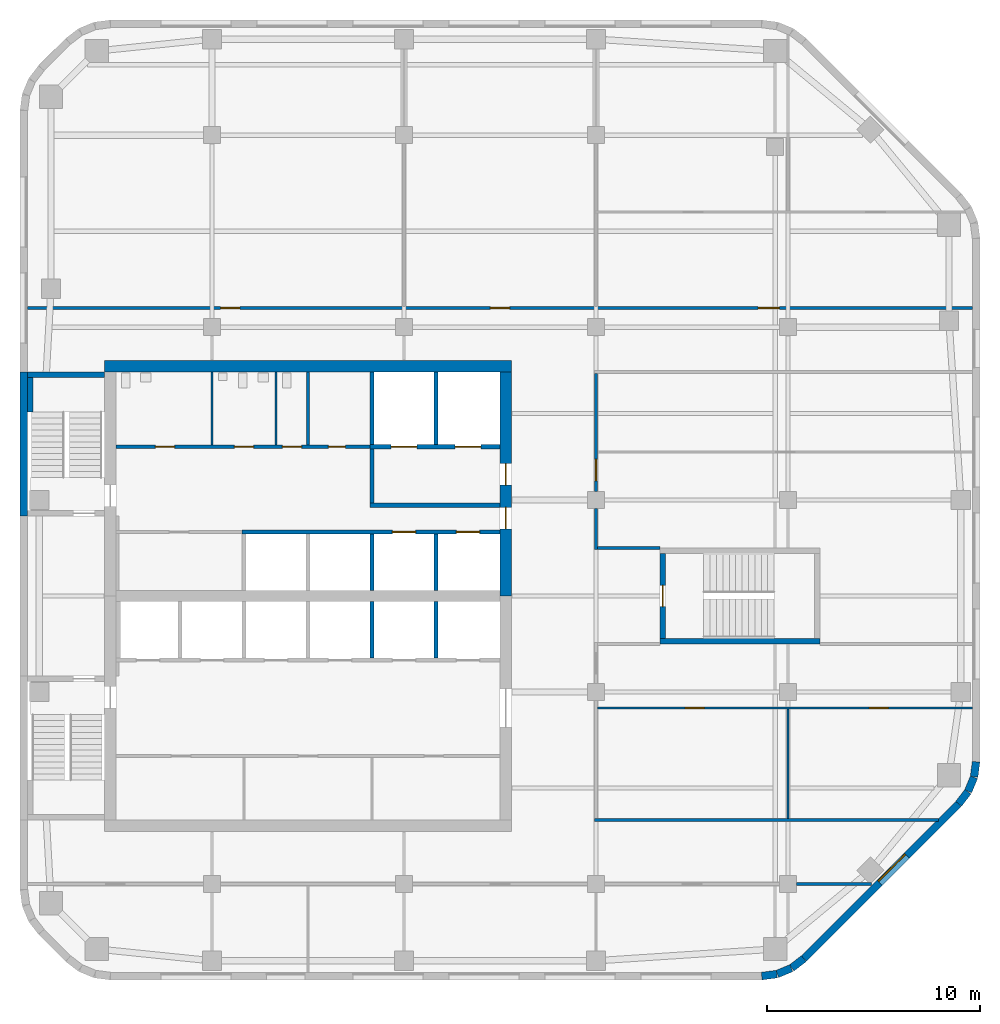
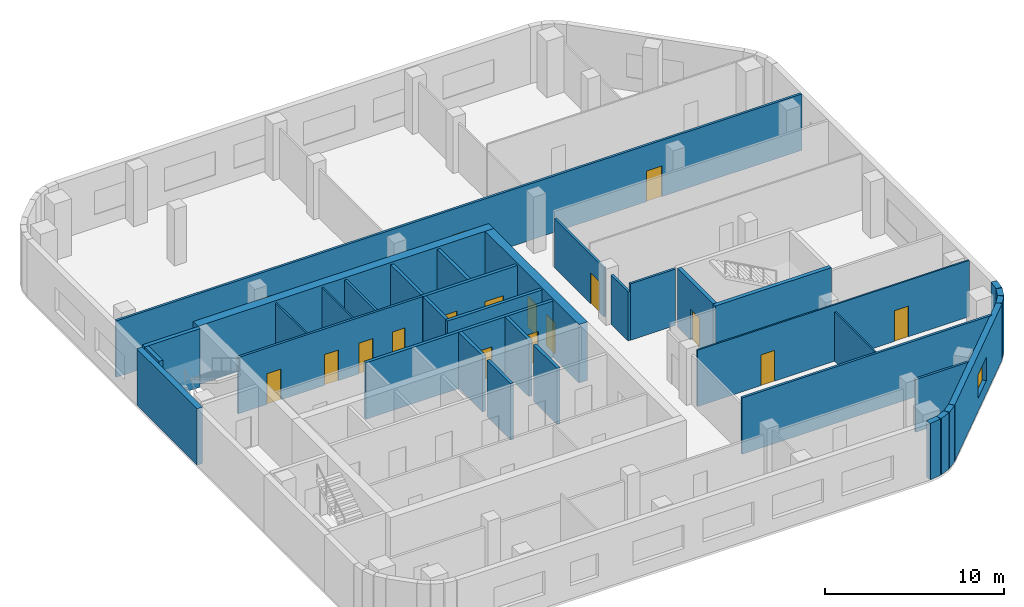
# One storey, part 4 of 8: 36 walls, 17 doors, 1 window, 18 openings.
"""IFC4 building model written with IfcOpenShell, lengths in metres."""

from ifc_helpers import new_model, si_unit, direction, frame, frame_2d, origin, place, context, subcontext, project, spatial, rectangle, extrude, material, layer, layer_set, type_object, element, fill, save


model = new_model("IFC4")

# Units and contexts
model_context = context("Model", 3, precision=1e-05, world=origin(), true_north=direction((0.0, 1.0)))
body_context = subcontext(model_context, "Body", "Model", "MODEL_VIEW")
ifc_project = project(units=[si_unit("LENGTHUNIT", "METRE"), si_unit("AREAUNIT", "SQUARE_METRE"), si_unit("VOLUMEUNIT", "CUBIC_METRE"), si_unit("PLANEANGLEUNIT", "RADIAN"), si_unit("MASSUNIT", "GRAM", prefix="KILO")], contexts=[model_context])

# Site, building, storey
site_placement = place(None, origin())
site = spatial("IfcSite", under=ifc_project, at=site_placement, CompositionType="ELEMENT")
building_placement = place(site_placement, origin())
building = spatial("IfcBuilding", under=site, at=building_placement, Name="Cinnabar Reach Civic Tower", CompositionType="ELEMENT")
storey_placement = place(building_placement, frame((0.0, 0.0, 222.0)))
storey = spatial("IfcBuildingStorey", under=building, at=storey_placement, Name="L53", CompositionType="ELEMENT", Elevation=222.0)

# Walls
ifc_material_1 = material(Name="Facing brick with insulated backing", Category="masonry")
ifc_layer_1 = layer(ifc_material_1, 0.36)
ifc_layer_set_1 = layer_set([ifc_layer_1], Name="Brick corner wall")
wall_type_1 = type_object("IfcWallType", Name="Brick corner wall", PredefinedType="STANDARD", material=ifc_layer_set_1)
for number, where, z_axis, x_axis, name in (
    (1, (34.7686, 13.683, 0.0), (0.0, 0.0, 1.0), (0.99144092581, 0.13055608231, 0.0), "Brick corner wall"),
    (2, (35.4973, 13.7819, 0.0), (0.0, 0.0, 1.0), (0.923871547278, 0.382702709855, 0.0), "Brick corner wall"),
):
    element("IfcWall", number, at=place(storey_placement, frame(where, z_axis=z_axis, x_axis=x_axis)), inside=storey, type_object=wall_type_1, Name=name, PredefinedType="STANDARD", context=body_context, shape_type="SweptSolid", body=[
        extrude(rectangle(XDim=0.7131, YDim=0.36, at=frame_2d((0.3565, 0.0))), origin(), (0.0, 0.0, 1.0), 3.85),
    ])
for number, where, z_axis, x_axis, name in (
    (3, (36.1755, 14.066, 0.0), (0.0, 0.0, 1.0), (0.793321924995, 0.608802368033, 0.0), "Brick corner wall"),
    (4, (43.9998, 21.7587, 0.0), (0.0, 0.0, 1.0), (0.608802368033, 0.793321924995, 0.0), "Brick corner wall"),
):
    element("IfcWall", number, at=place(storey_placement, frame(where, z_axis=z_axis, x_axis=x_axis)), inside=storey, type_object=wall_type_1, Name=name, PredefinedType="STANDARD", context=body_context, shape_type="SweptSolid", body=[
        extrude(rectangle(XDim=0.7132, YDim=0.36, at=frame_2d((0.3566, 0.0))), origin(), (0.0, 0.0, 1.0), 3.85),
    ])
for number, where, z_axis, x_axis, name in (
    (5, (44.4452, 22.3439, 0.0), (0.0, 0.0, 1.0), (0.382702709855, 0.923871547278, 0.0), "Brick corner wall"),
    (6, (44.7239, 23.0244, 0.0), (0.0, 0.0, 1.0), (0.13055608231, 0.99144092581, 0.0), "Brick corner wall"),
):
    element("IfcWall", number, at=place(storey_placement, frame(where, z_axis=z_axis, x_axis=x_axis)), inside=storey, type_object=wall_type_1, Name=name, PredefinedType="STANDARD", context=body_context, shape_type="SweptSolid", body=[
        extrude(rectangle(XDim=0.7131, YDim=0.36, at=frame_2d((0.3565, 0.0))), origin(), (0.0, 0.0, 1.0), 3.85),
    ])

# Wall, opening, window
ifc_layer_2 = layer(ifc_material_1, 0.36)
ifc_layer_set_2 = layer_set([ifc_layer_2], Name="Brick pier and spandrel wall")
wall_type_2 = type_object("IfcWallType", Name="Brick pier and spandrel wall", PredefinedType="STANDARD", material=ifc_layer_set_2)
wall_1_placement = place(storey_placement, frame((36.7514, 14.506, 0.0), z_axis=(0.0, 0.0, 1.0), x_axis=(0.707106781187, 0.707106781187, 0.0)))
wall_1 = element("IfcWall", 7, at=wall_1_placement, inside=storey, type_object=wall_type_2, Name="Brick facade wall", PredefinedType="STANDARD", context=body_context, shape_type="SweptSolid", body=[
    extrude(rectangle(XDim=10.2426, YDim=0.36, at=frame_2d((5.1213, 0.0))), origin(), (0.0, 0.0, 1.0), 3.85),
])
opening_1_placement = place(wall_1_placement, frame((5.0213, 0.0, 0.9)))
opening_1 = element("IfcOpeningElement", 8, at=opening_1_placement, cuts=wall_1, Name="Opening W2086", PredefinedType="OPENING", context=body_context, shape_type="SweptSolid", body=[
    extrude(rectangle(XDim=1.8, YDim=1.6, at=frame_2d((0.9, 0.8))), frame((0.0, 0.19, 0.0), z_axis=(0.0, -1.0, 0.0), x_axis=(1.0, 0.0, 0.0)), (0.0, 0.0, 1.0), 0.38),
])
ifc_material_2 = material(Name="Clear double glazing in aluminium frame", Category="aluminium")
window_type = type_object("IfcWindowType", Name="Deep-set window D", PartitioningType="SINGLE_PANEL", PredefinedType="WINDOW", material=ifc_material_2)
window_placement = place(opening_1_placement, origin())
window = element("IfcWindow", 9, at=window_placement, inside=storey, type_object=window_type, Name="Window southeast face", OverallHeight=1.6, OverallWidth=1.8, PartitioningType="SINGLE_PANEL", PredefinedType="WINDOW", context=body_context, shape_type="SweptSolid", body=[
    extrude(rectangle(XDim=1.8, YDim=1.6, at=frame_2d((0.9, 0.8))), frame((0.0, 0.13, 0.0), z_axis=(0.0, -1.0, 0.0), x_axis=(1.0, 0.0, 0.0)), (0.0, 0.0, 1.0), 0.06),
])
fill(opening_1, window)

# Walls
wall_2_placement = place(storey_placement, frame((0.18, 42.0, 0.0), z_axis=(0.0, 0.0, 1.0), x_axis=(0.0, -1.0, 0.0)))
element("IfcWall", 10, at=wall_2_placement, inside=storey, type_object=wall_type_2, Name="Brick facade wall", PredefinedType="STANDARD", context=body_context, shape_type="SweptSolid", body=[
    extrude(rectangle(XDim=6.75, YDim=0.36, at=frame_2d((3.375, 0.0))), origin(), (0.0, 0.0, 1.0), 3.85),
])
ifc_material_3 = material(Name="Concrete C60", Category="concrete")
ifc_layer_3 = layer(ifc_material_3, 0.55)
ifc_layer_set_3 = layer_set([ifc_layer_3], Name="Core wall 550 EI 180")
wall_type_3 = type_object("IfcWallType", Name="Core wall 550 EI 180", PredefinedType="SOLIDWALL", material=ifc_layer_set_3)
wall_3_placement = place(storey_placement, frame((23.05, 42.275, 0.0), z_axis=(0.0, 0.0, 1.0), x_axis=(-1.0, 0.0, 0.0)))
element("IfcWall", 11, at=wall_3_placement, inside=storey, type_object=wall_type_3, Name="Core wall T1 L53 N", PredefinedType="SOLIDWALL", context=body_context, shape_type="SweptSolid", body=[
    extrude(rectangle(XDim=19.1, YDim=0.55, at=frame_2d((9.55, 0.0))), origin(), (0.0, 0.0, 1.0), 4.0),
])

# Wall, openings, doors
wall_4_placement = place(storey_placement, frame((22.775, 31.5, 0.0), z_axis=(0.0, 0.0, 1.0), x_axis=(0.0, 1.0, 0.0)))
wall_4 = element("IfcWall", 12, at=wall_4_placement, inside=storey, type_object=wall_type_3, Name="Core wall T1 L53 E2", PredefinedType="SOLIDWALL", context=body_context, shape_type="SweptSolid", body=[
    extrude(rectangle(XDim=10.5, YDim=0.55, at=frame_2d((5.25, 0.0))), origin(), (0.0, 0.0, 1.0), 4.0),
])
opening_2_placement = place(wall_4_placement, frame((3.15, 0.0, 0.0)))
opening_2 = element("IfcOpeningElement", 13, at=opening_2_placement, cuts=wall_4, Name="Opening D5162", PredefinedType="OPENING", context=body_context, shape_type="SweptSolid", body=[
    extrude(rectangle(XDim=1.0, YDim=2.1, at=frame_2d((0.5, 1.05))), frame((0.0, 0.285, 0.0), z_axis=(0.0, -1.0, 0.0), x_axis=(1.0, 0.0, 0.0)), (0.0, 0.0, 1.0), 0.57),
])
opening_3_placement = place(wall_4_placement, frame((5.2, 0.0, 0.0)))
opening_3 = element("IfcOpeningElement", 14, at=opening_3_placement, cuts=wall_4, Name="Opening D5163", PredefinedType="OPENING", context=body_context, shape_type="SweptSolid", body=[
    extrude(rectangle(XDim=1.0, YDim=2.1, at=frame_2d((0.5, 1.05))), frame((0.0, 0.285, 0.0), z_axis=(0.0, -1.0, 0.0), x_axis=(1.0, 0.0, 0.0)), (0.0, 0.0, 1.0), 0.57),
])
ifc_material_4 = material(Name="Timber door leaf in steel frame", Category="steel")
door_type_1 = type_object("IfcDoorType", Name="Firefighting lobby door 1000 x 2100 T1", OperationType="SINGLE_SWING_LEFT", PredefinedType="DOOR", material=ifc_material_4)
door_1_placement = place(opening_3_placement, origin())
door_1 = element("IfcDoor", 15, at=door_1_placement, inside=storey, type_object=door_type_1, Name="Door D5163", OperationType="SINGLE_SWING_RIGHT", OverallHeight=2.1, OverallWidth=1.0, PredefinedType="DOOR", context=body_context, shape_type="SweptSolid", body=[
    extrude(rectangle(XDim=1.0, YDim=2.1, at=frame_2d((0.5, 1.05))), frame((0.0, 0.025, 0.0), z_axis=(0.0, -1.0, 0.0), x_axis=(1.0, 0.0, 0.0)), (0.0, 0.0, 1.0), 0.05),
])
fill(opening_3, door_1)
door_type_2 = type_object("IfcDoorType", Name="Single swing door 1000 x 2100 T1", OperationType="SINGLE_SWING_LEFT", PredefinedType="DOOR", material=ifc_material_4)
door_2_placement = place(opening_2_placement, origin())
door_2 = element("IfcDoor", 16, at=door_2_placement, inside=storey, type_object=door_type_2, Name="Door D5162", OperationType="SINGLE_SWING_RIGHT", OverallHeight=2.1, OverallWidth=1.0, PredefinedType="DOOR", context=body_context, shape_type="SweptSolid", body=[
    extrude(rectangle(XDim=1.0, YDim=2.1, at=frame_2d((0.5, 1.05))), frame((0.0, 0.025, 0.0), z_axis=(0.0, -1.0, 0.0), x_axis=(1.0, 0.0, 0.0)), (0.0, 0.0, 1.0), 0.05),
])
fill(opening_2, door_2)

ifc_material_5 = material(Name="Gypsum board on steel studs, double layer", Category="steel")
ifc_layer_4 = layer(ifc_material_5, 0.15)
ifc_layer_set_4 = layer_set([ifc_layer_4], Name="Corridor wall 150 T1")
wall_type_4 = type_object("IfcWallType", Name="Corridor wall 150 T1", PredefinedType="PARTITIONING", material=ifc_layer_set_4)
wall_5_placement = place(storey_placement, frame((0.36, 45.0, 0.0), z_axis=(0.0, 0.0, 1.0), x_axis=(1.0, 0.0, 0.0)))
wall_5 = element("IfcWall", 17, at=wall_5_placement, inside=storey, type_object=wall_type_4, Name="Corridor wall 18", PredefinedType="PARTITIONING", context=body_context, shape_type="SweptSolid", body=[
    extrude(rectangle(XDim=44.28, YDim=0.15, at=frame_2d((22.14, 0.0))), origin(), (0.0, 0.0, 1.0), 3.85),
])
opening_4_placement = place(wall_5_placement, frame((9.05, 0.0, 0.0)))
opening_4 = element("IfcOpeningElement", 18, at=opening_4_placement, cuts=wall_5, Name="Opening D5181", PredefinedType="OPENING", context=body_context, shape_type="SweptSolid", body=[
    extrude(rectangle(XDim=0.9, YDim=2.1, at=frame_2d((0.45, 1.05))), frame((0.0, 0.085, 0.0), z_axis=(0.0, -1.0, 0.0), x_axis=(1.0, 0.0, 0.0)), (0.0, 0.0, 1.0), 0.17),
])
opening_5_placement = place(wall_5_placement, frame((21.69, 0.0, 0.0)))
opening_5 = element("IfcOpeningElement", 19, at=opening_5_placement, cuts=wall_5, Name="Opening D5182", PredefinedType="OPENING", context=body_context, shape_type="SweptSolid", body=[
    extrude(rectangle(XDim=0.9, YDim=2.1, at=frame_2d((0.45, 1.05))), frame((0.0, 0.085, 0.0), z_axis=(0.0, -1.0, 0.0), x_axis=(1.0, 0.0, 0.0)), (0.0, 0.0, 1.0), 0.17),
])
opening_6_placement = place(wall_5_placement, frame((34.24, 0.0, 0.0)))
opening_6 = element("IfcOpeningElement", 20, at=opening_6_placement, cuts=wall_5, Name="Opening D5183", PredefinedType="OPENING", context=body_context, shape_type="SweptSolid", body=[
    extrude(rectangle(XDim=1.0, YDim=2.1, at=frame_2d((0.5, 1.05))), frame((0.0, 0.085, 0.0), z_axis=(0.0, -1.0, 0.0), x_axis=(1.0, 0.0, 0.0)), (0.0, 0.0, 1.0), 0.17),
])
door_type_3 = type_object("IfcDoorType", Name="Single swing door 900 x 2100 corridor T1", OperationType="SINGLE_SWING_LEFT", PredefinedType="DOOR", material=ifc_material_4)
door_3_placement = place(opening_4_placement, origin())
door_3 = element("IfcDoor", 21, at=door_3_placement, inside=storey, type_object=door_type_3, Name="Door D5181", OperationType="SINGLE_SWING_LEFT", OverallHeight=2.1, OverallWidth=0.9, PredefinedType="DOOR", context=body_context, shape_type="SweptSolid", body=[
    extrude(rectangle(XDim=0.9, YDim=2.1, at=frame_2d((0.45, 1.05))), frame((0.0, 0.025, 0.0), z_axis=(0.0, -1.0, 0.0), x_axis=(1.0, 0.0, 0.0)), (0.0, 0.0, 1.0), 0.05),
])
fill(opening_4, door_3)
door_4_placement = place(opening_5_placement, origin())
door_4 = element("IfcDoor", 22, at=door_4_placement, inside=storey, type_object=door_type_3, Name="Door D5182", OperationType="SINGLE_SWING_LEFT", OverallHeight=2.1, OverallWidth=0.9, PredefinedType="DOOR", context=body_context, shape_type="SweptSolid", body=[
    extrude(rectangle(XDim=0.9, YDim=2.1, at=frame_2d((0.45, 1.05))), frame((0.0, 0.025, 0.0), z_axis=(0.0, -1.0, 0.0), x_axis=(1.0, 0.0, 0.0)), (0.0, 0.0, 1.0), 0.05),
])
fill(opening_5, door_4)
door_type_4 = type_object("IfcDoorType", Name="Tenancy entrance door 1000 x 2100 T1", OperationType="SINGLE_SWING_LEFT", PredefinedType="DOOR", material=ifc_material_4)
door_5_placement = place(opening_6_placement, origin())
door_5 = element("IfcDoor", 23, at=door_5_placement, inside=storey, type_object=door_type_4, Name="Door D5183", OperationType="SINGLE_SWING_LEFT", OverallHeight=2.1, OverallWidth=1.0, PredefinedType="DOOR", context=body_context, shape_type="SweptSolid", body=[
    extrude(rectangle(XDim=1.0, YDim=2.1, at=frame_2d((0.5, 1.05))), frame((0.0, 0.025, 0.0), z_axis=(0.0, -1.0, 0.0), x_axis=(1.0, 0.0, 0.0)), (0.0, 0.0, 1.0), 0.05),
])
fill(opening_6, door_5)

# Walls
wall_6_placement = place(storey_placement, frame((36.4, 18.0, 0.0), z_axis=(0.0, 0.0, 1.0), x_axis=(1.0, 0.0, 0.0)))
element("IfcWall", 24, at=wall_6_placement, inside=storey, type_object=wall_type_4, Name="Corridor wall 19", PredefinedType="PARTITIONING", context=body_context, shape_type="SweptSolid", body=[
    extrude(rectangle(XDim=3.516, YDim=0.15, at=frame_2d((1.758, 0.0))), origin(), (0.0, 0.0, 1.0), 3.602),
])
wall_7_placement = place(storey_placement, frame((26.925, 21.0, 0.0), z_axis=(0.0, 0.0, 1.0), x_axis=(1.0, 0.0, 0.0)))
element("IfcWall", 25, at=wall_7_placement, inside=storey, type_object=wall_type_4, Name="Corridor wall 26", PredefinedType="PARTITIONING", context=body_context, shape_type="SweptSolid", body=[
    extrude(rectangle(XDim=16.1409, YDim=0.15, at=frame_2d((8.0704, 0.0))), origin(), (0.0, 0.0, 1.0), 3.85),
])

# Wall, openings, doors
wall_8_placement = place(storey_placement, frame((4.5, 38.5, 0.0), z_axis=(0.0, 0.0, 1.0), x_axis=(1.0, 0.0, 0.0)))
wall_8 = element("IfcWall", 26, at=wall_8_placement, inside=storey, type_object=wall_type_4, Name="Corridor wall 27", PredefinedType="PARTITIONING", context=body_context, shape_type="SweptSolid", body=[
    extrude(rectangle(XDim=11.9, YDim=0.15, at=frame_2d((5.95, 0.0))), origin(), (0.0, 0.0, 1.0), 3.85),
])
opening_7_placement = place(wall_8_placement, frame((1.85, 0.0, 0.0)))
opening_7 = element("IfcOpeningElement", 27, at=opening_7_placement, cuts=wall_8, Name="Opening D5169", PredefinedType="OPENING", context=body_context, shape_type="SweptSolid", body=[
    extrude(rectangle(XDim=0.9, YDim=2.1, at=frame_2d((0.45, 1.05))), frame((0.0, 0.085, 0.0), z_axis=(0.0, -1.0, 0.0), x_axis=(1.0, 0.0, 0.0)), (0.0, 0.0, 1.0), 0.17),
])
opening_8_placement = place(wall_8_placement, frame((5.55, 0.0, 0.0)))
opening_8 = element("IfcOpeningElement", 28, at=opening_8_placement, cuts=wall_8, Name="Opening D5170", PredefinedType="OPENING", context=body_context, shape_type="SweptSolid", body=[
    extrude(rectangle(XDim=0.9, YDim=2.1, at=frame_2d((0.45, 1.05))), frame((0.0, 0.085, 0.0), z_axis=(0.0, -1.0, 0.0), x_axis=(1.0, 0.0, 0.0)), (0.0, 0.0, 1.0), 0.17),
])
opening_9_placement = place(wall_8_placement, frame((7.8, 0.0, 0.0)))
opening_9 = element("IfcOpeningElement", 29, at=opening_9_placement, cuts=wall_8, Name="Opening D5171", PredefinedType="OPENING", context=body_context, shape_type="SweptSolid", body=[
    extrude(rectangle(XDim=0.9, YDim=2.1, at=frame_2d((0.45, 1.05))), frame((0.0, 0.085, 0.0), z_axis=(0.0, -1.0, 0.0), x_axis=(1.0, 0.0, 0.0)), (0.0, 0.0, 1.0), 0.17),
])
opening_10_placement = place(wall_8_placement, frame((9.95, 0.0, 0.0)))
opening_10 = element("IfcOpeningElement", 30, at=opening_10_placement, cuts=wall_8, Name="Opening D5172", PredefinedType="OPENING", context=body_context, shape_type="SweptSolid", body=[
    extrude(rectangle(XDim=0.8, YDim=2.1, at=frame_2d((0.4, 1.05))), frame((0.0, 0.085, 0.0), z_axis=(0.0, -1.0, 0.0), x_axis=(1.0, 0.0, 0.0)), (0.0, 0.0, 1.0), 0.17),
])
door_type_5 = type_object("IfcDoorType", Name="Riser access door 800 x 2100 T1", OperationType="SINGLE_SWING_LEFT", PredefinedType="DOOR", material=ifc_material_4)
door_6_placement = place(opening_10_placement, origin())
door_6 = element("IfcDoor", 31, at=door_6_placement, inside=storey, type_object=door_type_5, Name="Door D5172", OperationType="SINGLE_SWING_RIGHT", OverallHeight=2.1, OverallWidth=0.8, PredefinedType="DOOR", context=body_context, shape_type="SweptSolid", body=[
    extrude(rectangle(XDim=0.8, YDim=2.1, at=frame_2d((0.4, 1.05))), frame((0.0, 0.025, 0.0), z_axis=(0.0, -1.0, 0.0), x_axis=(1.0, 0.0, 0.0)), (0.0, 0.0, 1.0), 0.05),
])
fill(opening_10, door_6)
door_7_placement = place(opening_7_placement, origin())
door_7 = element("IfcDoor", 32, at=door_7_placement, inside=storey, type_object=door_type_3, Name="Door D5169", OperationType="SINGLE_SWING_RIGHT", OverallHeight=2.1, OverallWidth=0.9, PredefinedType="DOOR", context=body_context, shape_type="SweptSolid", body=[
    extrude(rectangle(XDim=0.9, YDim=2.1, at=frame_2d((0.45, 1.05))), frame((0.0, 0.025, 0.0), z_axis=(0.0, -1.0, 0.0), x_axis=(1.0, 0.0, 0.0)), (0.0, 0.0, 1.0), 0.05),
])
fill(opening_7, door_7)
door_8_placement = place(opening_8_placement, origin())
door_8 = element("IfcDoor", 33, at=door_8_placement, inside=storey, type_object=door_type_3, Name="Door D5170", OperationType="SINGLE_SWING_RIGHT", OverallHeight=2.1, OverallWidth=0.9, PredefinedType="DOOR", context=body_context, shape_type="SweptSolid", body=[
    extrude(rectangle(XDim=0.9, YDim=2.1, at=frame_2d((0.45, 1.05))), frame((0.0, 0.025, 0.0), z_axis=(0.0, -1.0, 0.0), x_axis=(1.0, 0.0, 0.0)), (0.0, 0.0, 1.0), 0.05),
])
fill(opening_8, door_8)
door_9_placement = place(opening_9_placement, origin())
door_9 = element("IfcDoor", 34, at=door_9_placement, inside=storey, type_object=door_type_3, Name="Door D5171", OperationType="SINGLE_SWING_RIGHT", OverallHeight=2.1, OverallWidth=0.9, PredefinedType="DOOR", context=body_context, shape_type="SweptSolid", body=[
    extrude(rectangle(XDim=0.9, YDim=2.1, at=frame_2d((0.45, 1.05))), frame((0.0, 0.025, 0.0), z_axis=(0.0, -1.0, 0.0), x_axis=(1.0, 0.0, 0.0)), (0.0, 0.0, 1.0), 0.05),
])
fill(opening_9, door_9)

# Wall
wall_9_placement = place(storey_placement, frame((27.0, 33.675, 0.0), z_axis=(0.0, 0.0, 1.0), x_axis=(0.0, 1.0, 0.0)))
element("IfcWall", 35, at=wall_9_placement, inside=storey, type_object=wall_type_4, Name="Corridor wall 30", PredefinedType="PARTITIONING", context=body_context, shape_type="SweptSolid", body=[
    extrude(rectangle(XDim=1.925, YDim=0.15, at=frame_2d((0.9625, 0.0))), origin(), (0.0, 0.0, 1.0), 3.35),
])

# Wall, opening, door
wall_10_placement = place(storey_placement, frame((27.0, 36.4, 0.0), z_axis=(0.0, 0.0, 1.0), x_axis=(0.0, 1.0, 0.0)))
wall_10 = element("IfcWall", 36, at=wall_10_placement, inside=storey, type_object=wall_type_4, Name="Corridor wall 31", PredefinedType="PARTITIONING", context=body_context, shape_type="SweptSolid", body=[
    extrude(rectangle(XDim=5.525, YDim=0.15, at=frame_2d((2.7625, 0.0))), origin(), (0.0, 0.0, 1.0), 3.35),
])
opening_11_placement = place(wall_10_placement, frame((0.5, 0.0, 0.0)))
opening_11 = element("IfcOpeningElement", 37, at=opening_11_placement, cuts=wall_10, Name="Opening D5173", PredefinedType="OPENING", context=body_context, shape_type="SweptSolid", body=[
    extrude(rectangle(XDim=1.0, YDim=2.1, at=frame_2d((0.5, 1.05))), frame((0.0, 0.085, 0.0), z_axis=(0.0, -1.0, 0.0), x_axis=(1.0, 0.0, 0.0)), (0.0, 0.0, 1.0), 0.17),
])
door_10_placement = place(opening_11_placement, frame((1.0, 0.0, 0.0), z_axis=(0.0, 0.0, 1.0), x_axis=(-1.0, 0.0, 0.0)))
door_10 = element("IfcDoor", 38, at=door_10_placement, inside=storey, type_object=door_type_4, Name="Door D5173", OperationType="SINGLE_SWING_LEFT", OverallHeight=2.1, OverallWidth=1.0, PredefinedType="DOOR", context=body_context, shape_type="SweptSolid", body=[
    extrude(rectangle(XDim=1.0, YDim=2.1, at=frame_2d((0.5, 1.05))), frame((0.0, 0.025, 0.0), z_axis=(0.0, -1.0, 0.0), x_axis=(1.0, 0.0, 0.0)), (0.0, 0.0, 1.0), 0.05),
])
fill(opening_11, door_10)

# Wall
wall_11_placement = place(storey_placement, frame((27.075, 33.75, 0.0), z_axis=(0.0, 0.0, 1.0), x_axis=(1.0, 0.0, 0.0)))
element("IfcWall", 39, at=wall_11_placement, inside=storey, type_object=wall_type_4, Name="Corridor wall 36", PredefinedType="PARTITIONING", context=body_context, shape_type="SweptSolid", body=[
    extrude(rectangle(XDim=2.925, YDim=0.15, at=frame_2d((1.4625, 0.0))), origin(), (0.0, 0.0, 1.0), 3.85),
])

# Wall, openings, doors
ifc_material_6 = material(Name="Blockwork", Category="masonry")
ifc_layer_5 = layer(ifc_material_6, 0.2)
ifc_layer_set_5 = layer_set([ifc_layer_5], Name="Lift shaft wall 200 T1")
wall_type_5 = type_object("IfcWallType", Name="Lift shaft wall 200 T1", PredefinedType="PARTITIONING", material=ifc_layer_set_5)
wall_12_placement = place(storey_placement, frame((10.4, 34.5, 0.0), z_axis=(0.0, 0.0, 1.0), x_axis=(1.0, 0.0, 0.0)))
wall_12 = element("IfcWall", 40, at=wall_12_placement, inside=storey, type_object=wall_type_5, Name="Lift shaft wall 5", PredefinedType="PARTITIONING", context=body_context, shape_type="SweptSolid", body=[
    extrude(rectangle(XDim=12.1, YDim=0.2, at=frame_2d((6.05, 0.0))), origin(), (0.0, 0.0, 1.0), 3.85),
])
opening_12_placement = place(wall_12_placement, frame((7.05, 0.0, 0.0)))
opening_12 = element("IfcOpeningElement", 41, at=opening_12_placement, cuts=wall_12, Name="Opening D5157", PredefinedType="OPENING", context=body_context, shape_type="SweptSolid", body=[
    extrude(rectangle(XDim=1.1, YDim=2.1, at=frame_2d((0.55, 1.05))), frame((0.0, 0.11, 0.0), z_axis=(0.0, -1.0, 0.0), x_axis=(1.0, 0.0, 0.0)), (0.0, 0.0, 1.0), 0.22),
])
opening_13_placement = place(wall_12_placement, frame((10.05, 0.0, 0.0)))
opening_13 = element("IfcOpeningElement", 42, at=opening_13_placement, cuts=wall_12, Name="Opening D5158", PredefinedType="OPENING", context=body_context, shape_type="SweptSolid", body=[
    extrude(rectangle(XDim=1.1, YDim=2.1, at=frame_2d((0.55, 1.05))), frame((0.0, 0.11, 0.0), z_axis=(0.0, -1.0, 0.0), x_axis=(1.0, 0.0, 0.0)), (0.0, 0.0, 1.0), 0.22),
])
ifc_material_7 = material(Name="Stainless steel sliding door", Category="steel")
door_type_6 = type_object("IfcDoorType", Name="Lift landing door 1100 x 2100 T1", OperationType="SLIDING_TO_LEFT", PredefinedType="DOOR", material=ifc_material_7)
door_11_placement = place(opening_12_placement, origin())
door_11 = element("IfcDoor", 43, at=door_11_placement, inside=storey, type_object=door_type_6, Name="Lift landing door SV1 L53", OperationType="SLIDING_TO_LEFT", OverallHeight=2.1, OverallWidth=1.1, PredefinedType="DOOR", context=body_context, shape_type="SweptSolid", body=[
    extrude(rectangle(XDim=1.1, YDim=2.1, at=frame_2d((0.55, 1.05))), frame((0.0, 0.025, 0.0), z_axis=(0.0, -1.0, 0.0), x_axis=(1.0, 0.0, 0.0)), (0.0, 0.0, 1.0), 0.05),
])
fill(opening_12, door_11)
door_12_placement = place(opening_13_placement, origin())
door_12 = element("IfcDoor", 44, at=door_12_placement, inside=storey, type_object=door_type_6, Name="Lift landing door SV2 L53", OperationType="SLIDING_TO_LEFT", OverallHeight=2.1, OverallWidth=1.1, PredefinedType="DOOR", context=body_context, shape_type="SweptSolid", body=[
    extrude(rectangle(XDim=1.1, YDim=2.1, at=frame_2d((0.55, 1.05))), frame((0.0, 0.025, 0.0), z_axis=(0.0, -1.0, 0.0), x_axis=(1.0, 0.0, 0.0)), (0.0, 0.0, 1.0), 0.05),
])
fill(opening_13, door_12)

# Walls
for number, where, z_axis, x_axis, name in (
    (45, (16.5, 28.6, 0.0), (0.0, 0.0, 1.0), (0.0, 1.0, 0.0), "Lift shaft wall 10"),
    (46, (16.5, 31.75, 0.0), (0.0, 0.0, 1.0), (0.0, 1.0, 0.0), "Lift shaft wall 11"),
    (47, (19.5, 28.6, 0.0), (0.0, 0.0, 1.0), (0.0, 1.0, 0.0), "Lift shaft wall 12"),
    (48, (19.5, 31.75, 0.0), (0.0, 0.0, 1.0), (0.0, 1.0, 0.0), "Lift shaft wall 13"),
):
    element("IfcWall", number, at=place(storey_placement, frame(where, z_axis=z_axis, x_axis=x_axis)), inside=storey, type_object=wall_type_5, Name=name, PredefinedType="PARTITIONING", context=body_context, shape_type="SweptSolid", body=[
        extrude(rectangle(XDim=2.65, YDim=0.2, at=frame_2d((1.325, 0.0))), origin(), (0.0, 0.0, 1.0), 3.85),
    ])
for number, where, z_axis, x_axis, name in (
    (49, (16.5, 38.6, 0.0), (0.0, 0.0, 1.0), (0.0, 1.0, 0.0), "Lift shaft wall 14"),
    (50, (19.5, 38.6, 0.0), (0.0, 0.0, 1.0), (0.0, 1.0, 0.0), "Lift shaft wall 15"),
):
    element("IfcWall", number, at=place(storey_placement, frame(where, z_axis=z_axis, x_axis=x_axis)), inside=storey, type_object=wall_type_5, Name=name, PredefinedType="PARTITIONING", context=body_context, shape_type="SweptSolid", body=[
        extrude(rectangle(XDim=3.4, YDim=0.2, at=frame_2d((1.7, 0.0))), origin(), (0.0, 0.0, 1.0), 3.85),
    ])

# Wall, openings, doors
ifc_material_8 = material(Name="Gypsum board on steel studs", Category="steel")
ifc_layer_6 = layer(ifc_material_8, 0.1)
ifc_layer_set_6 = layer_set([ifc_layer_6], Name="Partition wall 100 T1")
wall_type_6 = type_object("IfcWallType", Name="Partition wall 100 T1", PredefinedType="PARTITIONING", material=ifc_layer_set_6)
wall_13_placement = place(storey_placement, frame((27.075, 26.25, 0.0), z_axis=(0.0, 0.0, 1.0), x_axis=(1.0, 0.0, 0.0)))
wall_13 = element("IfcWall", 51, at=wall_13_placement, inside=storey, type_object=wall_type_6, Name="Partition wall 40", PredefinedType="PARTITIONING", context=body_context, shape_type="SweptSolid", body=[
    extrude(rectangle(XDim=17.565, YDim=0.1, at=frame_2d((8.7825, 0.0))), origin(), (0.0, 0.0, 1.0), 3.85),
])
opening_14_placement = place(wall_13_placement, frame((4.1, 0.0, 0.0)))
opening_14 = element("IfcOpeningElement", 52, at=opening_14_placement, cuts=wall_13, Name="Opening D5176", PredefinedType="OPENING", context=body_context, shape_type="SweptSolid", body=[
    extrude(rectangle(XDim=0.9, YDim=2.1, at=frame_2d((0.45, 1.05))), frame((0.0, 0.06, 0.0), z_axis=(0.0, -1.0, 0.0), x_axis=(1.0, 0.0, 0.0)), (0.0, 0.0, 1.0), 0.12),
])
opening_15_placement = place(wall_13_placement, frame((12.725, 0.0, 0.0)))
opening_15 = element("IfcOpeningElement", 53, at=opening_15_placement, cuts=wall_13, Name="Opening D5177", PredefinedType="OPENING", context=body_context, shape_type="SweptSolid", body=[
    extrude(rectangle(XDim=0.9, YDim=2.1, at=frame_2d((0.45, 1.05))), frame((0.0, 0.06, 0.0), z_axis=(0.0, -1.0, 0.0), x_axis=(1.0, 0.0, 0.0)), (0.0, 0.0, 1.0), 0.12),
])
door_type_7 = type_object("IfcDoorType", Name="Single swing door 900 x 2100 T1", OperationType="SINGLE_SWING_LEFT", PredefinedType="DOOR", material=ifc_material_4)
door_13_placement = place(opening_14_placement, frame((0.9, 0.0, 0.0), z_axis=(0.0, 0.0, 1.0), x_axis=(-1.0, 0.0, 0.0)))
door_13 = element("IfcDoor", 54, at=door_13_placement, inside=storey, type_object=door_type_7, Name="Door D5176", OperationType="SINGLE_SWING_RIGHT", OverallHeight=2.1, OverallWidth=0.9, PredefinedType="DOOR", context=body_context, shape_type="SweptSolid", body=[
    extrude(rectangle(XDim=0.9, YDim=2.1, at=frame_2d((0.45, 1.05))), frame((0.0, 0.025, 0.0), z_axis=(0.0, -1.0, 0.0), x_axis=(1.0, 0.0, 0.0)), (0.0, 0.0, 1.0), 0.05),
])
fill(opening_14, door_13)
door_14_placement = place(opening_15_placement, frame((0.9, 0.0, 0.0), z_axis=(0.0, 0.0, 1.0), x_axis=(-1.0, 0.0, 0.0)))
door_14 = element("IfcDoor", 55, at=door_14_placement, inside=storey, type_object=door_type_7, Name="Door D5177", OperationType="SINGLE_SWING_RIGHT", OverallHeight=2.1, OverallWidth=0.9, PredefinedType="DOOR", context=body_context, shape_type="SweptSolid", body=[
    extrude(rectangle(XDim=0.9, YDim=2.1, at=frame_2d((0.45, 1.05))), frame((0.0, 0.025, 0.0), z_axis=(0.0, -1.0, 0.0), x_axis=(1.0, 0.0, 0.0)), (0.0, 0.0, 1.0), 0.05),
])
fill(opening_15, door_14)

# Walls
wall_14_placement = place(storey_placement, frame((36.0, 21.075, 0.0), z_axis=(0.0, 0.0, 1.0), x_axis=(0.0, 1.0, 0.0)))
element("IfcWall", 56, at=wall_14_placement, inside=storey, type_object=wall_type_6, Name="Partition wall 49", PredefinedType="PARTITIONING", context=body_context, shape_type="SweptSolid", body=[
    extrude(rectangle(XDim=5.125, YDim=0.1, at=frame_2d((2.5625, 0.0))), origin(), (0.0, 0.0, 1.0), 3.35),
])
for number, where, z_axis, x_axis, name in (
    (57, (9.0, 38.575, 0.0), (0.0, 0.0, 1.0), (0.0, 1.0, 0.0), "Partition wall 52"),
    (58, (12.0, 38.575, 0.0), (0.0, 0.0, 1.0), (0.0, 1.0, 0.0), "Partition wall 53"),
):
    element("IfcWall", number, at=place(storey_placement, frame(where, z_axis=z_axis, x_axis=x_axis)), inside=storey, type_object=wall_type_6, Name=name, PredefinedType="PARTITIONING", context=body_context, shape_type="SweptSolid", body=[
        extrude(rectangle(XDim=3.425, YDim=0.1, at=frame_2d((1.7125, 0.0))), origin(), (0.0, 0.0, 1.0), 3.85),
    ])
ifc_material_9 = material(Name="Concrete C40", Category="concrete")
ifc_layer_7 = layer(ifc_material_9, 0.2)
ifc_layer_set_7 = layer_set([ifc_layer_7], Name="Refuge compartment wall 200 T1")
wall_type_7 = type_object("IfcWallType", Name="Refuge compartment wall 200 T1", PredefinedType="PARTITIONING", material=ifc_layer_set_7)
wall_15_placement = place(storey_placement, frame((16.4, 35.75, 0.0), z_axis=(0.0, 0.0, 1.0), x_axis=(1.0, 0.0, 0.0)))
element("IfcWall", 59, at=wall_15_placement, inside=storey, type_object=wall_type_7, Name="Refuge compartment wall 1", PredefinedType="PARTITIONING", context=body_context, shape_type="SweptSolid", body=[
    extrude(rectangle(XDim=6.1, YDim=0.2, at=frame_2d((3.05, 0.0))), origin(), (0.0, 0.0, 1.0), 3.85),
])

# Wall, openings, doors
wall_16_placement = place(storey_placement, frame((16.4, 38.5, 0.0), z_axis=(0.0, 0.0, 1.0), x_axis=(1.0, 0.0, 0.0)))
wall_16 = element("IfcWall", 60, at=wall_16_placement, inside=storey, type_object=wall_type_7, Name="Refuge compartment wall 2", PredefinedType="PARTITIONING", context=body_context, shape_type="SweptSolid", body=[
    extrude(rectangle(XDim=6.1, YDim=0.2, at=frame_2d((3.05, 0.0))), origin(), (0.0, 0.0, 1.0), 3.85),
])
opening_16_placement = place(wall_16_placement, frame((1.0, 0.0, 0.0)))
opening_16 = element("IfcOpeningElement", 61, at=opening_16_placement, cuts=wall_16, Name="Opening D5159", PredefinedType="OPENING", context=body_context, shape_type="SweptSolid", body=[
    extrude(rectangle(XDim=1.2, YDim=2.1, at=frame_2d((0.6, 1.05))), frame((0.0, 0.11, 0.0), z_axis=(0.0, -1.0, 0.0), x_axis=(1.0, 0.0, 0.0)), (0.0, 0.0, 1.0), 0.22),
])
opening_17_placement = place(wall_16_placement, frame((4.0, 0.0, 0.0)))
opening_17 = element("IfcOpeningElement", 62, at=opening_17_placement, cuts=wall_16, Name="Opening D5160", PredefinedType="OPENING", context=body_context, shape_type="SweptSolid", body=[
    extrude(rectangle(XDim=1.2, YDim=2.1, at=frame_2d((0.6, 1.05))), frame((0.0, 0.11, 0.0), z_axis=(0.0, -1.0, 0.0), x_axis=(1.0, 0.0, 0.0)), (0.0, 0.0, 1.0), 0.22),
])
door_type_8 = type_object("IfcDoorType", Name="Firefighting lift landing door 1200 x 2100 T1", OperationType="SLIDING_TO_LEFT", PredefinedType="DOOR", material=ifc_material_7)
door_15_placement = place(opening_16_placement, origin())
door_15 = element("IfcDoor", 63, at=door_15_placement, inside=storey, type_object=door_type_8, Name="Lift landing door FF1 L53", OperationType="SLIDING_TO_LEFT", OverallHeight=2.1, OverallWidth=1.2, PredefinedType="DOOR", context=body_context, shape_type="SweptSolid", body=[
    extrude(rectangle(XDim=1.2, YDim=2.1, at=frame_2d((0.6, 1.05))), frame((0.0, 0.025, 0.0), z_axis=(0.0, -1.0, 0.0), x_axis=(1.0, 0.0, 0.0)), (0.0, 0.0, 1.0), 0.05),
])
fill(opening_16, door_15)
door_16_placement = place(opening_17_placement, origin())
door_16 = element("IfcDoor", 64, at=door_16_placement, inside=storey, type_object=door_type_8, Name="Lift landing door FF2 L53", OperationType="SLIDING_TO_LEFT", OverallHeight=2.1, OverallWidth=1.2, PredefinedType="DOOR", context=body_context, shape_type="SweptSolid", body=[
    extrude(rectangle(XDim=1.2, YDim=2.1, at=frame_2d((0.6, 1.05))), frame((0.0, 0.025, 0.0), z_axis=(0.0, -1.0, 0.0), x_axis=(1.0, 0.0, 0.0)), (0.0, 0.0, 1.0), 0.05),
])
fill(opening_17, door_16)

# Walls
wall_17_placement = place(storey_placement, frame((16.5, 35.85, 0.0), z_axis=(0.0, 0.0, 1.0), x_axis=(0.0, 1.0, 0.0)))
element("IfcWall", 65, at=wall_17_placement, inside=storey, type_object=wall_type_7, Name="Refuge compartment wall 3", PredefinedType="PARTITIONING", context=body_context, shape_type="SweptSolid", body=[
    extrude(rectangle(XDim=2.55, YDim=0.2, at=frame_2d((1.275, 0.0))), origin(), (0.0, 0.0, 1.0), 3.85),
])
ifc_layer_8 = layer(ifc_material_6, 0.15)
ifc_layer_set_8 = layer_set([ifc_layer_8], Name="Riser wall 150 T1")
wall_type_8 = type_object("IfcWallType", Name="Riser wall 150 T1", PredefinedType="PARTITIONING", material=ifc_layer_set_8)
wall_18_placement = place(storey_placement, frame((13.5, 38.575, 0.0), z_axis=(0.0, 0.0, 1.0), x_axis=(0.0, 1.0, 0.0)))
element("IfcWall", 66, at=wall_18_placement, inside=storey, type_object=wall_type_8, Name="Riser wall 38", PredefinedType="PARTITIONING", context=body_context, shape_type="SweptSolid", body=[
    extrude(rectangle(XDim=3.425, YDim=0.15, at=frame_2d((1.7125, 0.0))), origin(), (0.0, 0.0, 1.0), 3.85),
])
ifc_layer_9 = layer(ifc_material_3, 0.25)
ifc_layer_set_9 = layer_set([ifc_layer_9], Name="Stair shaft wall 250 EI 120")
wall_type_9 = type_object("IfcWallType", Name="Stair shaft wall 250 EI 120", PredefinedType="SOLIDWALL", material=ifc_layer_set_9)
wall_19_placement = place(storey_placement, frame((3.95, 41.875, 0.0), z_axis=(0.0, 0.0, 1.0), x_axis=(-1.0, 0.0, 0.0)))
element("IfcWall", 67, at=wall_19_placement, inside=storey, type_object=wall_type_9, Name="Stair shaft wall T1-S2 L53", PredefinedType="SOLIDWALL", context=body_context, shape_type="SweptSolid", body=[
    extrude(rectangle(XDim=3.59, YDim=0.25, at=frame_2d((1.795, 0.0))), origin(), (0.0, 0.0, 1.0), 4.0),
])
wall_20_placement = place(storey_placement, frame((30.0, 29.375, 0.0), z_axis=(0.0, 0.0, 1.0), x_axis=(1.0, 0.0, 0.0)))
element("IfcWall", 68, at=wall_20_placement, inside=storey, type_object=wall_type_9, Name="Stair shaft wall T1-S3 L53", PredefinedType="SOLIDWALL", context=body_context, shape_type="SweptSolid", body=[
    extrude(rectangle(XDim=7.5, YDim=0.25, at=frame_2d((3.75, 0.0))), origin(), (0.0, 0.0, 1.0), 4.0),
])

# Wall, opening, door
wall_21_placement = place(storey_placement, frame((30.125, 33.5, 0.0), z_axis=(0.0, 0.0, 1.0), x_axis=(0.0, -1.0, 0.0)))
wall_21 = element("IfcWall", 69, at=wall_21_placement, inside=storey, type_object=wall_type_9, Name="Stair shaft wall T1-S3 L53", PredefinedType="SOLIDWALL", context=body_context, shape_type="SweptSolid", body=[
    extrude(rectangle(XDim=4.0, YDim=0.25, at=frame_2d((2.0, 0.0))), origin(), (0.0, 0.0, 1.0), 4.0),
])
opening_18_placement = place(wall_21_placement, frame((1.5, 0.0, 0.0)))
opening_18 = element("IfcOpeningElement", 70, at=opening_18_placement, cuts=wall_21, Name="Opening D5164", PredefinedType="OPENING", context=body_context, shape_type="SweptSolid", body=[
    extrude(rectangle(XDim=1.0, YDim=2.1, at=frame_2d((0.5, 1.05))), frame((0.0, 0.135, 0.0), z_axis=(0.0, -1.0, 0.0), x_axis=(1.0, 0.0, 0.0)), (0.0, 0.0, 1.0), 0.27),
])
door_type_9 = type_object("IfcDoorType", Name="Stair door 1000 x 2100 T1", OperationType="SINGLE_SWING_LEFT", PredefinedType="DOOR", material=ifc_material_4)
door_17_placement = place(opening_18_placement, origin())
door_17 = element("IfcDoor", 71, at=door_17_placement, inside=storey, type_object=door_type_9, Name="Door D5164", OperationType="SINGLE_SWING_RIGHT", OverallHeight=2.1, OverallWidth=1.0, PredefinedType="DOOR", context=body_context, shape_type="SweptSolid", body=[
    extrude(rectangle(XDim=1.0, YDim=2.1, at=frame_2d((0.5, 1.05))), frame((0.0, 0.025, 0.0), z_axis=(0.0, -1.0, 0.0), x_axis=(1.0, 0.0, 0.0)), (0.0, 0.0, 1.0), 0.05),
])
fill(opening_18, door_17)

# Wall
ifc_material_10 = material(Name="Concrete C40/50", Category="concrete")
ifc_layer_10 = layer(ifc_material_10, 0.24)
ifc_layer_set_10 = layer_set([ifc_layer_10], Name="T1 landing bearer wall 240")
wall_type_10 = type_object("IfcWallType", Name="T1 landing bearer wall 240", PredefinedType="STANDARD", material=ifc_layer_set_10)
wall_22_placement = place(storey_placement, frame((0.48, 40.13, 0.0), z_axis=(0.0, 0.0, 1.0), x_axis=(0.0, 1.0, 0.0)))
element("IfcWall", 72, at=wall_22_placement, inside=storey, type_object=wall_type_10, Name="T1-S2 landing bearer wall", PredefinedType="STANDARD", context=body_context, shape_type="SweptSolid", body=[
    extrude(rectangle(XDim=1.62, YDim=0.24, at=frame_2d((0.81, 0.0))), origin(), (0.0, 0.0, 1.0), 4.0),
])

save(model, "model.ifc")
